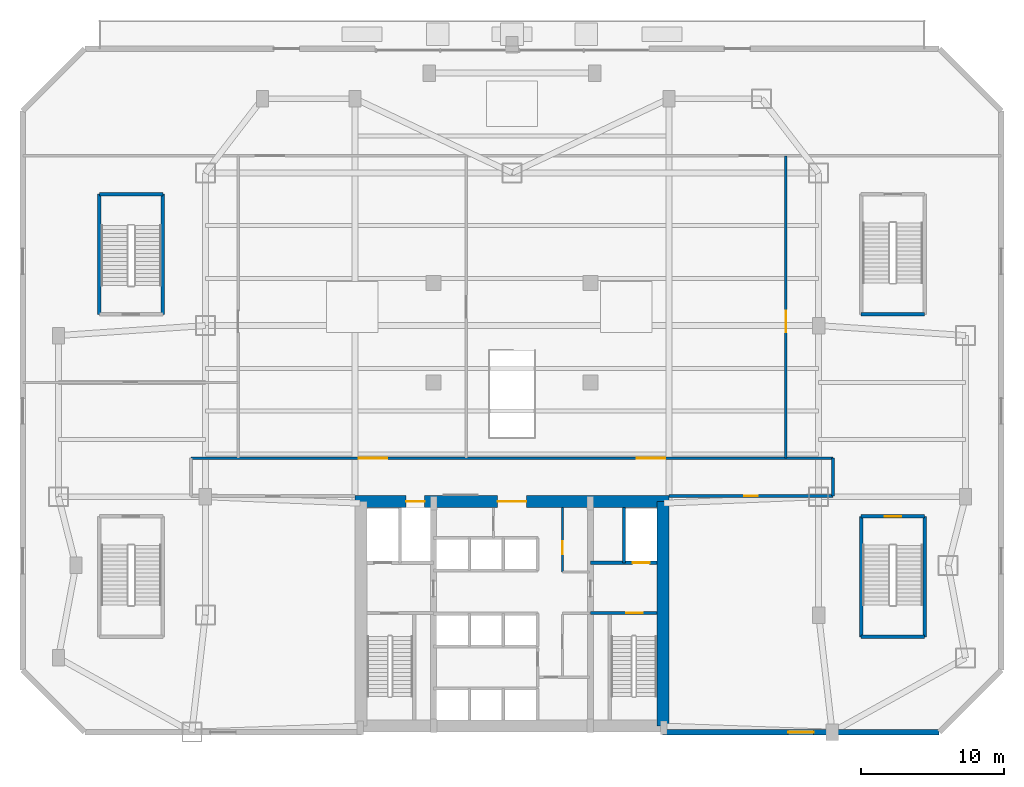
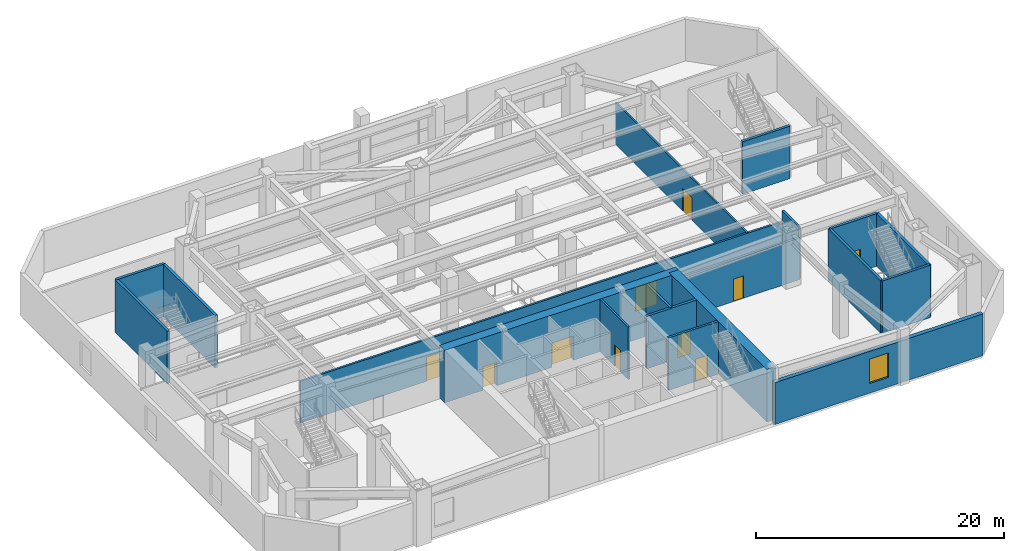
# One storey, part 5 of 10: 19 walls, 10 doors, 1 window, 11 openings.
"""IFC4 building model written with IfcOpenShell, lengths in metres."""

from ifc_helpers import new_model, si_unit, direction, frame, frame_2d, origin, place, context, subcontext, project, spatial, rectangle, extrude, source, transform, mapped, material, layer, layer_set, type_object, type_shapes, element, fill, save


model = new_model("IFC4")

# Units and contexts
model_context = context("Model", 3, precision=1e-05, world=origin(), true_north=direction((0.0, 1.0)))
body_context = subcontext(model_context, "Body", "Model", "MODEL_VIEW")
ifc_project = project(units=[si_unit("LENGTHUNIT", "METRE"), si_unit("AREAUNIT", "SQUARE_METRE"), si_unit("VOLUMEUNIT", "CUBIC_METRE"), si_unit("PLANEANGLEUNIT", "RADIAN"), si_unit("MASSUNIT", "GRAM", prefix="KILO")], contexts=[model_context])

# Site, building, storey
site_placement = place(None, origin())
site = spatial("IfcSite", under=ifc_project, at=site_placement, CompositionType="ELEMENT")
building_placement = place(site_placement, origin())
building = spatial("IfcBuilding", under=site, at=building_placement, Name="Varnakhor Terracotta Tower", CompositionType="ELEMENT")
storey_placement = place(building_placement, frame((0.0, 0.0, 5.5)))
storey = spatial("IfcBuildingStorey", under=building, at=storey_placement, Name="L01", CompositionType="ELEMENT", Elevation=5.5)

# Wall, openings, doors
ifc_material_1 = material(Name="Concrete C60/75", Category="concrete")
ifc_layer_1 = layer(ifc_material_1, 0.85009765625, Name="Concrete C60/75")
ifc_layer_set_1 = layer_set([ifc_layer_1], Name="Concrete C60/75")
wall_type_1 = type_object("IfcWallType", Name="WAL-CORE-850", PredefinedType="SHEAR", material=ifc_layer_set_1)
wall_1_placement = place(storey_placement, frame((-11.0, 16.175048828125, 0.0), z_axis=(0.0, 0.0, 1.0), x_axis=(1.0, 0.0, 0.0)))
wall_1 = element("IfcWall", 1, at=wall_1_placement, inside=storey, type_object=wall_type_1, Name="L01 North Core Shear Wall", PredefinedType="SHEAR", context=body_context, shape_type="SweptSolid", body=[
    extrude(rectangle(XDim=22.0, YDim=0.85009765625, at=frame_2d((11.0, 0.0))), origin(), (0.0, 0.0, 1.0), 5.169921875),
])
opening_1_placement = place(wall_1_placement, frame((3.570068359375, 0.0, 0.0)))
opening_1 = element("IfcOpeningElement", 2, at=opening_1_placement, cuts=wall_1, Name="Opening LD-03", PredefinedType="OPENING", context=body_context, shape_type="SweptSolid", body=[
    extrude(rectangle(XDim=1.300048828125, YDim=2.300048828125, at=frame_2d((0.64990234375, 1.14990234375))), frame((0.0, 0.43505859375, 0.0), z_axis=(0.0, -1.0, 0.0), x_axis=(1.0, 0.0, 0.0)), (0.0, 0.0, 1.0), 0.8701171875),
])
opening_2_placement = place(wall_1_placement, frame((10.0, 0.0, 0.0)))
opening_2 = element("IfcOpeningElement", 3, at=opening_2_placement, cuts=wall_1, Name="Opening DR-32", PredefinedType="OPENING", context=body_context, shape_type="SweptSolid", body=[
    extrude(rectangle(XDim=2.0, YDim=2.39990234375, at=frame_2d((1.0, 1.199951171875))), frame((0.0, 0.43505859375, 0.0), z_axis=(0.0, -1.0, 0.0), x_axis=(1.0, 0.0, 0.0)), (0.0, 0.0, 1.0), 0.8701171875),
])
ifc_material_2 = material(Name="Heavy-Duty Goods Sliding Lift Landing Door", Category="steel")
door_type_1 = type_object("IfcDoorType", Name="LD-SRV-1300X2300", OperationType="NOTDEFINED", PredefinedType="DOOR", material=ifc_material_2)
shared_shape_1 = source(origin(), body_context, "Body", "SweptSolid", [
    extrude(rectangle(XDim=1.300048828125, YDim=2.300048828125, at=frame_2d((0.64990234375, 1.14990234375))), frame((0.0, 0.02490234375, 0.0), z_axis=(0.0, -1.0, 0.0), x_axis=(1.0, 0.0, 0.0)), (0.0, 0.0, 1.0), 0.050048828125),
])
type_shapes(door_type_1, [shared_shape_1])
door_1_placement = place(opening_1_placement, origin())
door_1 = element("IfcDoor", 4, at=door_1_placement, inside=storey, type_object=door_type_1, Name="L01 Service Lift SVL-1 Landing Door", OperationType="SLIDING_TO_RIGHT", OverallHeight=2.300048828125, OverallWidth=1.300048828125, PredefinedType="DOOR", context=body_context, shape_type="MappedRepresentation", body=[
    mapped(shared_shape_1, transform((0.0, 0.0, 0.0), scale=1.0)),
])
fill(opening_1, door_1)
ifc_material_3 = material(Name="Acoustic Double Assembly Fire Door", Category="wood")
door_type_2 = type_object("IfcDoorType", Name="DR-HALL-2000X2400", OperationType="NOTDEFINED", PredefinedType="DOOR", material=ifc_material_3)
shared_shape_2 = source(origin(), body_context, "Body", "SweptSolid", [
    extrude(rectangle(XDim=2.0, YDim=2.39990234375, at=frame_2d((1.0, 1.199951171875))), frame((0.0, 0.02490234375, 0.0), z_axis=(0.0, -1.0, 0.0), x_axis=(1.0, 0.0, 0.0)), (0.0, 0.0, 1.0), 0.050048828125),
])
type_shapes(door_type_2, [shared_shape_2])
door_2_placement = place(opening_2_placement, origin())
door_2 = element("IfcDoor", 5, at=door_2_placement, inside=storey, type_object=door_type_2, Name="L01 Core Main Lobby Double Door", OperationType="DOUBLE_DOOR_SINGLE_SWING", OverallHeight=2.39990234375, OverallWidth=2.0, PredefinedType="DOOR", context=body_context, shape_type="MappedRepresentation", body=[
    mapped(shared_shape_2, transform((0.0, 0.0, 0.0), scale=1.0)),
])
fill(opening_2, door_2)

# Wall
wall_2_placement = place(storey_placement, frame((10.574951171875, 0.425048828125, 0.0), z_axis=(0.0, 0.0, 1.0), x_axis=(0.0, 1.0, 0.0)))
element("IfcWall", 6, at=wall_2_placement, inside=storey, type_object=wall_type_1, Name="L01 East Core Shear Wall", PredefinedType="SHEAR", context=body_context, shape_type="SweptSolid", body=[
    extrude(rectangle(XDim=15.75, YDim=0.85009765625, at=frame_2d((7.875, 0.0))), origin(), (0.0, 0.0, 1.0), 5.169921875),
])

# Wall, openings, doors
ifc_material_4 = material(Name="Fire-Rated Gypsum Stud Partition", Category="gypsum")
ifc_layer_2 = layer(ifc_material_4, 0.18505859375, Name="Fire-Rated Gypsum Stud Partition")
ifc_layer_set_2 = layer_set([ifc_layer_2], Name="Fire-Rated Gypsum Stud Partition")
wall_type_2 = type_object("IfcWallType", Name="WAL-CORR-185", PredefinedType="PARTITIONING", material=ifc_layer_set_2)
wall_3_placement = place(storey_placement, frame((-22.5, 19.199951171875, 0.0), z_axis=(0.0, 0.0, 1.0), x_axis=(1.0, 0.0, 0.0)))
wall_3 = element("IfcWall", 7, at=wall_3_placement, inside=storey, type_object=wall_type_2, Name="L01 South Assembly Corridor Wall", PredefinedType="PARTITIONING", context=body_context, shape_type="SweptSolid", body=[
    extrude(rectangle(XDim=45.0, YDim=0.18505859375, at=frame_2d((22.5, 0.0))), origin(), (0.0, 0.0, 1.0), 4.1220703125),
])
opening_3_placement = place(wall_3_placement, frame((11.74951171875, 0.0, 0.0)))
opening_3 = element("IfcOpeningElement", 8, at=opening_3_placement, cuts=wall_3, Name="Opening DR-32", PredefinedType="OPENING", context=body_context, shape_type="SweptSolid", body=[
    extrude(rectangle(XDim=2.0, YDim=2.39990234375, at=frame_2d((1.0, 1.199951171875))), frame((0.0, 0.1025390625, 0.0), z_axis=(0.0, -1.0, 0.0), x_axis=(1.0, 0.0, 0.0)), (0.0, 0.0, 1.0), 0.205078125),
])
opening_4_placement = place(wall_3_placement, frame((31.25048828125, 0.0, 0.0)))
opening_4 = element("IfcOpeningElement", 9, at=opening_4_placement, cuts=wall_3, Name="Opening DR-32", PredefinedType="OPENING", context=body_context, shape_type="SweptSolid", body=[
    extrude(rectangle(XDim=2.0, YDim=2.39990234375, at=frame_2d((1.0, 1.199951171875))), frame((0.0, 0.1025390625, 0.0), z_axis=(0.0, -1.0, 0.0), x_axis=(1.0, 0.0, 0.0)), (0.0, 0.0, 1.0), 0.205078125),
])
door_3_placement = place(opening_3_placement, origin())
door_3 = element("IfcDoor", 10, at=door_3_placement, inside=storey, type_object=door_type_2, Name="L01 Hall South Door W", OperationType="DOUBLE_DOOR_SINGLE_SWING", OverallHeight=2.39990234375, OverallWidth=2.0, PredefinedType="DOOR", context=body_context, shape_type="MappedRepresentation", body=[
    mapped(shared_shape_2, transform((0.0, 0.0, 0.0), scale=1.0)),
])
fill(opening_3, door_3)
door_4_placement = place(opening_4_placement, origin())
door_4 = element("IfcDoor", 11, at=door_4_placement, inside=storey, type_object=door_type_2, Name="L01 Hall South Door E", OperationType="DOUBLE_DOOR_SINGLE_SWING", OverallHeight=2.39990234375, OverallWidth=2.0, PredefinedType="DOOR", context=body_context, shape_type="MappedRepresentation", body=[
    mapped(shared_shape_2, transform((0.0, 0.0, 0.0), scale=1.0)),
])
fill(opening_4, door_4)

# Wall
wall_4_placement = place(storey_placement, frame((22.5, 16.550048828125, 0.0), z_axis=(0.0, 0.0, 1.0), x_axis=(0.0, 1.0, 0.0)))
element("IfcWall", 12, at=wall_4_placement, inside=storey, type_object=wall_type_2, Name="L01 South Corridor East End Wall", PredefinedType="PARTITIONING", context=body_context, shape_type="SweptSolid", body=[
    extrude(rectangle(XDim=2.64990234375, YDim=0.18505859375, at=frame_2d((1.324951171875, 0.0))), origin(), (0.0, 0.0, 1.0), 5.162109375),
])

# Wall, opening, door
wall_5_placement = place(storey_placement, frame((11.02001953125, 16.550048828125, 0.0), z_axis=(0.0, 0.0, 1.0), x_axis=(1.0, 0.0, 0.0)))
wall_5 = element("IfcWall", 13, at=wall_5_placement, inside=storey, type_object=wall_type_2, Name="L01 South East Suite Wall", PredefinedType="PARTITIONING", context=body_context, shape_type="SweptSolid", body=[
    extrude(rectangle(XDim=11.47998046875, YDim=0.18505859375, at=frame_2d((5.739990234375, 0.0))), origin(), (0.0, 0.0, 1.0), 4.1220703125),
])
opening_5_placement = place(wall_5_placement, frame((5.264892578125, 0.0, 0.0)))
opening_5 = element("IfcOpeningElement", 14, at=opening_5_placement, cuts=wall_5, Name="Opening DR-94", PredefinedType="OPENING", context=body_context, shape_type="SweptSolid", body=[
    extrude(rectangle(XDim=0.949951171875, YDim=2.199951171875, at=frame_2d((0.47509765625, 1.10009765625))), frame((0.0, 0.1025390625, 0.0), z_axis=(0.0, -1.0, 0.0), x_axis=(1.0, 0.0, 0.0)), (0.0, 0.0, 1.0), 0.205078125),
])
ifc_material_5 = material(Name="Acoustic Glazed-Vision Timber Office Door", Category="wood")
door_type_3 = type_object("IfcDoorType", Name="DR-OFF-950X2200", OperationType="NOTDEFINED", PredefinedType="DOOR", material=ifc_material_5)
shared_shape_3 = source(origin(), body_context, "Body", "SweptSolid", [
    extrude(rectangle(XDim=0.949951171875, YDim=2.199951171875, at=frame_2d((0.47509765625, 1.10009765625))), frame((0.0, 0.02490234375, 0.0), z_axis=(0.0, -1.0, 0.0), x_axis=(1.0, 0.0, 0.0)), (0.0, 0.0, 1.0), 0.050048828125),
])
type_shapes(door_type_3, [shared_shape_3])
door_5_placement = place(opening_5_placement, origin())
door_5 = element("IfcDoor", 15, at=door_5_placement, inside=storey, type_object=door_type_3, Name="L01 SE Suite Door", OperationType="SINGLE_SWING_RIGHT", OverallHeight=2.199951171875, OverallWidth=0.949951171875, PredefinedType="DOOR", context=body_context, shape_type="MappedRepresentation", body=[
    mapped(shared_shape_3, transform((0.0, 0.0, 0.0), scale=1.0)),
])
fill(opening_5, door_5)

# Wall, opening, window
ifc_material_6 = material(Name="Honed Riyadh Limestone Assembly", Category="masonry")
ifc_layer_3 = layer(ifc_material_6, 0.3798828125, Name="Honed Riyadh Limestone Assembly")
ifc_layer_set_3 = layer_set([ifc_layer_3], Name="Honed Riyadh Limestone Assembly")
wall_type_3 = type_object("IfcWallType", Name="WAL-EXT-LIMESTONE-380", PredefinedType="SOLIDWALL", material=ifc_layer_set_3)
wall_6_placement = place(storey_placement, frame((29.949951171875, 0.0, 0.0), z_axis=(0.0, 0.0, 1.0), x_axis=(-1.0, 0.0, 0.0)))
wall_6 = element("IfcWall", 16, at=wall_6_placement, inside=storey, type_object=wall_type_3, Name="L01 Limestone Podium Wall SE", PredefinedType="SOLIDWALL", context=body_context, shape_type="SweptSolid", body=[
    extrude(rectangle(XDim=19.39990234375, YDim=0.3798828125, at=frame_2d((9.699951171875, 0.0))), origin(), (0.0, 0.0, 1.0), 4.110107421875),
])
opening_6_placement = place(wall_6_placement, frame((8.800048828125, 0.0, 0.949951171875)))
opening_6 = element("IfcOpeningElement", 17, at=opening_6_placement, cuts=wall_6, Name="Opening WN-16", PredefinedType="OPENING", context=body_context, shape_type="SweptSolid", body=[
    extrude(rectangle(XDim=1.800048828125, YDim=2.39990234375, at=frame_2d((0.89990234375, 1.199951171875))), frame((0.0, 0.199951171875, 0.0), z_axis=(0.0, -1.0, 0.0), x_axis=(1.0, 0.0, 0.0)), (0.0, 0.0, 1.0), 0.39990234375),
])
ifc_material_7 = material(Name="Solar-Control Low-E Insulated Glass Unit", Category="glass")
window_type = type_object("IfcWindowType", Name="WIN-POD-2400X3200", PartitioningType="SINGLE_PANEL", PredefinedType="WINDOW", material=ifc_material_7)
shared_shape_4 = source(origin(), body_context, "Body", "SweptSolid", [
    extrude(rectangle(XDim=1.800048828125, YDim=2.39990234375, at=frame_2d((0.89990234375, 1.199951171875))), frame((0.0, 0.030029296875, 0.0), z_axis=(0.0, -1.0, 0.0), x_axis=(1.0, 0.0, 0.0)), (0.0, 0.0, 1.0), 0.06005859375),
])
type_shapes(window_type, [shared_shape_4])
window_placement = place(opening_6_placement, origin())
window = element("IfcWindow", 18, at=window_placement, inside=storey, type_object=window_type, Name="L01 Podium Window SE", OverallHeight=2.39990234375, OverallWidth=1.800048828125, PartitioningType="SINGLE_PANEL", PredefinedType="WINDOW", context=body_context, shape_type="MappedRepresentation", body=[
    mapped(shared_shape_4, transform((0.0, 0.0, 0.0), scale=1.0)),
])
fill(opening_6, window)

# Wall, opening, door
ifc_material_8 = material(Name="Concrete C40/50", Category="concrete")
ifc_layer_4 = layer(ifc_material_8, 0.219970703125, Name="Concrete C40/50")
ifc_layer_set_4 = layer_set([ifc_layer_4], Name="Concrete C40/50")
wall_type_4 = type_object("IfcWallType", Name="WAL-FFLOBBY-220", PredefinedType="SOLIDWALL", material=ifc_layer_set_4)
wall_7_placement = place(storey_placement, frame((10.14990234375, 8.35009765625, 0.0), z_axis=(0.0, 0.0, 1.0), x_axis=(-1.0, 0.0, 0.0)))
wall_7 = element("IfcWall", 19, at=wall_7_placement, inside=storey, type_object=wall_type_4, Name="L01 East Firefighting Lobby Stair Wall", PredefinedType="SOLIDWALL", context=body_context, shape_type="SweptSolid", body=[
    extrude(rectangle(XDim=4.64990234375, YDim=0.219970703125, at=frame_2d((2.324951171875, 0.0))), origin(), (0.0, 0.0, 1.0), 5.169921875),
])
opening_7_placement = place(wall_7_placement, frame((1.0, 0.0, 0.0)))
opening_7 = element("IfcOpeningElement", 20, at=opening_7_placement, cuts=wall_7, Name="Opening DR-34", PredefinedType="OPENING", context=body_context, shape_type="SweptSolid", body=[
    extrude(rectangle(XDim=1.14990234375, YDim=2.199951171875, at=frame_2d((0.574951171875, 1.10009765625))), frame((0.0, 0.1201171875, 0.0), z_axis=(0.0, -1.0, 0.0), x_axis=(1.0, 0.0, 0.0)), (0.0, 0.0, 1.0), 0.239990234375),
])
ifc_material_9 = material(Name="Self-Closing Smoke-Sealed Steel Fire Door", Category="steel")
door_type_4 = type_object("IfcDoorType", Name="DR-STAIR-1150X2200", OperationType="NOTDEFINED", PredefinedType="DOOR", material=ifc_material_9)
shared_shape_5 = source(origin(), body_context, "Body", "SweptSolid", [
    extrude(rectangle(XDim=1.14990234375, YDim=2.199951171875, at=frame_2d((0.574951171875, 1.10009765625))), frame((0.0, 0.02490234375, 0.0), z_axis=(0.0, -1.0, 0.0), x_axis=(1.0, 0.0, 0.0)), (0.0, 0.0, 1.0), 0.050048828125),
])
type_shapes(door_type_4, [shared_shape_5])
door_6_placement = place(opening_7_placement, origin())
door_6 = element("IfcDoor", 21, at=door_6_placement, inside=storey, type_object=door_type_4, Name="L01 Exit Stair ST-2 Fire Door", OperationType="SINGLE_SWING_RIGHT", OverallHeight=2.199951171875, OverallWidth=1.14990234375, PredefinedType="DOOR", context=body_context, shape_type="MappedRepresentation", body=[
    mapped(shared_shape_5, transform((0.0, 0.0, 0.0), scale=1.0)),
])
fill(opening_7, door_6)

# Wall
ifc_layer_5 = layer(ifc_material_8, 0.219970703125, Name="Concrete C40/50")
ifc_layer_set_5 = layer_set([ifc_layer_5], Name="Concrete C40/50")
wall_type_5 = type_object("IfcWallType", Name="WAL-SHAFT-220", PredefinedType="SOLIDWALL", material=ifc_layer_set_5)
wall_8_placement = place(storey_placement, frame((7.840087890625, 11.8701171875, 0.0), z_axis=(0.0, 0.0, 1.0), x_axis=(0.0, 1.0, 0.0)))
element("IfcWall", 22, at=wall_8_placement, inside=storey, type_object=wall_type_5, Name="L01 Lift FFL-2 and Riser Divider Wall", PredefinedType="SOLIDWALL", context=body_context, shape_type="SweptSolid", body=[
    extrude(rectangle(XDim=3.8798828125, YDim=0.219970703125, at=frame_2d((1.93994140625, 0.0))), origin(), (0.0, 0.0, 1.0), 5.169921875),
])

# Wall, opening, door
ifc_layer_6 = layer(ifc_material_8, 0.25, Name="Concrete C40/50")
ifc_layer_set_6 = layer_set([ifc_layer_6], Name="Concrete C40/50")
wall_type_6 = type_object("IfcWallType", Name="WAL-SHAFT-250", PredefinedType="SOLIDWALL", material=ifc_layer_set_6)
wall_9_placement = place(storey_placement, frame((10.14990234375, 11.8701171875, 0.0), z_axis=(0.0, 0.0, 1.0), x_axis=(-1.0, 0.0, 0.0)))
wall_9 = element("IfcWall", 23, at=wall_9_placement, inside=storey, type_object=wall_type_6, Name="L01 Lift FFL-2 Shaft Front Wall", PredefinedType="SOLIDWALL", context=body_context, shape_type="SweptSolid", body=[
    extrude(rectangle(XDim=4.64990234375, YDim=0.25, at=frame_2d((2.324951171875, 0.0))), origin(), (0.0, 0.0, 1.0), 5.169921875),
])
opening_8_placement = place(wall_9_placement, frame((0.5, 0.0, 0.0)))
opening_8 = element("IfcOpeningElement", 24, at=opening_8_placement, cuts=wall_9, Name="Opening LD-02", PredefinedType="OPENING", context=body_context, shape_type="SweptSolid", body=[
    extrude(rectangle(XDim=1.199951171875, YDim=2.25, at=frame_2d((0.60009765625, 1.125))), frame((0.0, 0.135009765625, 0.0), z_axis=(0.0, -1.0, 0.0), x_axis=(1.0, 0.0, 0.0)), (0.0, 0.0, 1.0), 0.27001953125),
])
ifc_material_10 = material(Name="Firefighting Stretcher Sliding Lift Landing Door", Category="steel")
door_type_5 = type_object("IfcDoorType", Name="LD-FFL-1200X2250", OperationType="NOTDEFINED", PredefinedType="DOOR", material=ifc_material_10)
shared_shape_6 = source(origin(), body_context, "Body", "SweptSolid", [
    extrude(rectangle(XDim=1.199951171875, YDim=2.25, at=frame_2d((0.60009765625, 1.125))), frame((0.0, 0.02490234375, 0.0), z_axis=(0.0, -1.0, 0.0), x_axis=(1.0, 0.0, 0.0)), (0.0, 0.0, 1.0), 0.050048828125),
])
type_shapes(door_type_5, [shared_shape_6])
door_7_placement = place(opening_8_placement, origin())
door_7 = element("IfcDoor", 25, at=door_7_placement, inside=storey, type_object=door_type_5, Name="L01 Firefighting Lift FFL-2 Landing Door", OperationType="SLIDING_TO_RIGHT", OverallHeight=2.25, OverallWidth=1.199951171875, PredefinedType="DOOR", context=body_context, shape_type="MappedRepresentation", body=[
    mapped(shared_shape_6, transform((0.0, 0.0, 0.0), scale=1.0)),
])
fill(opening_8, door_7)

# Walls
for number, where, z_axis, x_axis, name in (
    (26, (24.47998046875, 6.679931640625, 0.0), (0.0, 0.0, 1.0), (0.0, 1.0, 0.0), "L01 ST-P2 Bearing Shaft Wall W"),
    (27, (28.919921875, 6.679931640625, 0.0), (0.0, 0.0, 1.0), (0.0, 1.0, 0.0), "L01 ST-P2 Bearing Shaft Wall E"),
):
    element("IfcWall", number, at=place(storey_placement, frame(where, z_axis=z_axis, x_axis=x_axis)), inside=storey, type_object=wall_type_6, Name=name, PredefinedType="SOLIDWALL", context=body_context, shape_type="SweptSolid", body=[
        extrude(rectangle(XDim=8.440185546875, YDim=0.25, at=frame_2d((4.22021484375, 0.0))), origin(), (0.0, 0.0, 1.0), 5.169921875),
    ])
wall_10_placement = place(storey_placement, frame((24.47998046875, 6.679931640625, 0.0), z_axis=(0.0, 0.0, 1.0), x_axis=(1.0, 0.0, 0.0)))
element("IfcWall", 28, at=wall_10_placement, inside=storey, type_object=wall_type_6, Name="L01 ST-P2 Bearing Shaft Wall S", PredefinedType="SOLIDWALL", context=body_context, shape_type="SweptSolid", body=[
    extrude(rectangle(XDim=4.43994140625, YDim=0.25, at=frame_2d((2.219970703125, 0.0))), origin(), (0.0, 0.0, 1.0), 5.169921875),
])

# Wall, opening, door
wall_11_placement = place(storey_placement, frame((28.919921875, 15.1201171875, 0.0), z_axis=(0.0, 0.0, 1.0), x_axis=(-1.0, 0.0, 0.0)))
wall_11 = element("IfcWall", 29, at=wall_11_placement, inside=storey, type_object=wall_type_6, Name="L01 ST-P2 Bearing Shaft Wall N", PredefinedType="SOLIDWALL", context=body_context, shape_type="SweptSolid", body=[
    extrude(rectangle(XDim=4.43994140625, YDim=0.25, at=frame_2d((2.219970703125, 0.0))), origin(), (0.0, 0.0, 1.0), 5.169921875),
])
opening_9_placement = place(wall_11_placement, frame((1.64501953125, 0.0, 0.0)))
opening_9 = element("IfcOpeningElement", 30, at=opening_9_placement, cuts=wall_11, Name="Opening DR-34", PredefinedType="OPENING", context=body_context, shape_type="SweptSolid", body=[
    extrude(rectangle(XDim=1.14990234375, YDim=2.199951171875, at=frame_2d((0.574951171875, 1.10009765625))), frame((0.0, 0.135009765625, 0.0), z_axis=(0.0, -1.0, 0.0), x_axis=(1.0, 0.0, 0.0)), (0.0, 0.0, 1.0), 0.27001953125),
])
door_8_placement = place(opening_9_placement, origin())
door_8 = element("IfcDoor", 31, at=door_8_placement, inside=storey, type_object=door_type_4, Name="L01 Exit Stair ST-P2 Fire Door", OperationType="SINGLE_SWING_RIGHT", OverallHeight=2.199951171875, OverallWidth=1.14990234375, PredefinedType="DOOR", context=body_context, shape_type="MappedRepresentation", body=[
    mapped(shared_shape_5, transform((0.0, 0.0, 0.0), scale=1.0)),
])
fill(opening_9, door_8)

# Walls
for number, where, z_axis, x_axis, name in (
    (32, (-28.919921875, 29.280029296875, 0.0), (0.0, 0.0, 1.0), (0.0, 1.0, 0.0), "L01 ST-P3 Bearing Shaft Wall W"),
    (33, (-24.47998046875, 29.280029296875, 0.0), (0.0, 0.0, 1.0), (0.0, 1.0, 0.0), "L01 ST-P3 Bearing Shaft Wall E"),
):
    element("IfcWall", number, at=place(storey_placement, frame(where, z_axis=z_axis, x_axis=x_axis)), inside=storey, type_object=wall_type_6, Name=name, PredefinedType="SOLIDWALL", context=body_context, shape_type="SweptSolid", body=[
        extrude(rectangle(XDim=8.43994140625, YDim=0.25, at=frame_2d((4.219970703125, 0.0))), origin(), (0.0, 0.0, 1.0), 5.169921875),
    ])
for number, where, z_axis, x_axis, name in (
    (34, (-24.47998046875, 37.719970703125, 0.0), (0.0, 0.0, 1.0), (-1.0, 0.0, 0.0), "L01 ST-P3 Bearing Shaft Wall N"),
    (35, (24.47998046875, 29.280029296875, 0.0), (0.0, 0.0, 1.0), (1.0, 0.0, 0.0), "L01 ST-P4 Bearing Shaft Wall S"),
):
    element("IfcWall", number, at=place(storey_placement, frame(where, z_axis=z_axis, x_axis=x_axis)), inside=storey, type_object=wall_type_6, Name=name, PredefinedType="SOLIDWALL", context=body_context, shape_type="SweptSolid", body=[
        extrude(rectangle(XDim=4.43994140625, YDim=0.25, at=frame_2d((2.219970703125, 0.0))), origin(), (0.0, 0.0, 1.0), 5.169921875),
    ])

# Wall, opening, door
ifc_material_11 = material(Name="Acoustic Fire-Rated Partition", Category="gypsum")
ifc_layer_7 = layer(ifc_material_11, 0.1650390625, Name="Acoustic Fire-Rated Partition")
ifc_layer_set_7 = layer_set([ifc_layer_7], Name="Acoustic Fire-Rated Partition")
wall_type_7 = type_object("IfcWallType", Name="WAL-TENANCY-165", PredefinedType="PARTITIONING", material=ifc_layer_set_7)
wall_12_placement = place(storey_placement, frame((3.5400390625, 11.219970703125, 0.0), z_axis=(0.0, 0.0, 1.0), x_axis=(0.0, 1.0, 0.0)))
wall_12 = element("IfcWall", 36, at=wall_12_placement, inside=storey, type_object=wall_type_7, Name="L01 Restroom Corridor Wall", PredefinedType="PARTITIONING", context=body_context, shape_type="SweptSolid", body=[
    extrude(rectangle(XDim=4.530029296875, YDim=0.1650390625, at=frame_2d((2.26513671875, 0.0))), origin(), (0.0, 0.0, 1.0), 5.162109375),
])
opening_10_placement = place(wall_12_placement, frame((1.25, 0.0, 0.0)))
opening_10 = element("IfcOpeningElement", 37, at=opening_10_placement, cuts=wall_12, Name="Opening DR-67", PredefinedType="OPENING", context=body_context, shape_type="SweptSolid", body=[
    extrude(rectangle(XDim=0.89990234375, YDim=2.10009765625, at=frame_2d((0.449951171875, 1.050048828125))), frame((0.0, 0.092529296875, 0.0), z_axis=(0.0, -1.0, 0.0), x_axis=(1.0, 0.0, 0.0)), (0.0, 0.0, 1.0), 0.18505859375),
])
ifc_material_12 = material(Name="Steel Service Riser Fire Door", Category="steel")
door_type_6 = type_object("IfcDoorType", Name="DR-RISER-900X2100", OperationType="NOTDEFINED", PredefinedType="DOOR", material=ifc_material_12)
shared_shape_7 = source(origin(), body_context, "Body", "SweptSolid", [
    extrude(rectangle(XDim=0.89990234375, YDim=2.10009765625, at=frame_2d((0.449951171875, 1.050048828125))), frame((0.0, 0.02490234375, 0.0), z_axis=(0.0, -1.0, 0.0), x_axis=(1.0, 0.0, 0.0)), (0.0, 0.0, 1.0), 0.050048828125),
])
type_shapes(door_type_6, [shared_shape_7])
door_9_placement = place(opening_10_placement, origin())
door_9 = element("IfcDoor", 38, at=door_9_placement, inside=storey, type_object=door_type_6, Name="L01 Female WC Door", OperationType="SINGLE_SWING_RIGHT", OverallHeight=2.10009765625, OverallWidth=0.89990234375, PredefinedType="DOOR", context=body_context, shape_type="MappedRepresentation", body=[
    mapped(shared_shape_7, transform((0.0, 0.0, 0.0), scale=1.0)),
])
fill(opening_10, door_9)

wall_13_placement = place(storey_placement, frame((19.199951171875, 19.199951171875, 0.0), z_axis=(0.0, 0.0, 1.0), x_axis=(0.0, 1.0, 0.0)))
wall_13 = element("IfcWall", 39, at=wall_13_placement, inside=storey, type_object=wall_type_7, Name="L01 Hall East Acoustic Wall", PredefinedType="PARTITIONING", context=body_context, shape_type="SweptSolid", body=[
    extrude(rectangle(XDim=21.199951171875, YDim=0.1650390625, at=frame_2d((10.60009765625, 0.0))), origin(), (0.0, 0.0, 1.0), 4.1220703125),
])
opening_11_placement = place(wall_13_placement, frame((8.823974609375, 0.0, 0.0)))
opening_11 = element("IfcOpeningElement", 40, at=opening_11_placement, cuts=wall_13, Name="Opening DR-30", PredefinedType="OPENING", context=body_context, shape_type="SweptSolid", body=[
    extrude(rectangle(XDim=1.5, YDim=2.25, at=frame_2d((0.75, 1.125))), frame((0.0, 0.092529296875, 0.0), z_axis=(0.0, -1.0, 0.0), x_axis=(1.0, 0.0, 0.0)), (0.0, 0.0, 1.0), 0.18505859375),
])
ifc_material_13 = material(Name="Double Acoustic Conference Room Door", Category="wood")
door_type_7 = type_object("IfcDoorType", Name="DR-MEET-1500X2250", OperationType="NOTDEFINED", PredefinedType="DOOR", material=ifc_material_13)
shared_shape_8 = source(origin(), body_context, "Body", "SweptSolid", [
    extrude(rectangle(XDim=1.5, YDim=2.25, at=frame_2d((0.75, 1.125))), frame((0.0, 0.02490234375, 0.0), z_axis=(0.0, -1.0, 0.0), x_axis=(1.0, 0.0, 0.0)), (0.0, 0.0, 1.0), 0.050048828125),
])
type_shapes(door_type_7, [shared_shape_8])
door_10_placement = place(opening_11_placement, origin())
door_10 = element("IfcDoor", 41, at=door_10_placement, inside=storey, type_object=door_type_7, Name="L01 East Suite Door", OperationType="DOUBLE_DOOR_SINGLE_SWING", OverallHeight=2.25, OverallWidth=1.5, PredefinedType="DOOR", context=body_context, shape_type="MappedRepresentation", body=[
    mapped(shared_shape_8, transform((0.0, 0.0, 0.0), scale=1.0)),
])
fill(opening_11, door_10)

save(model, "model.ifc")
